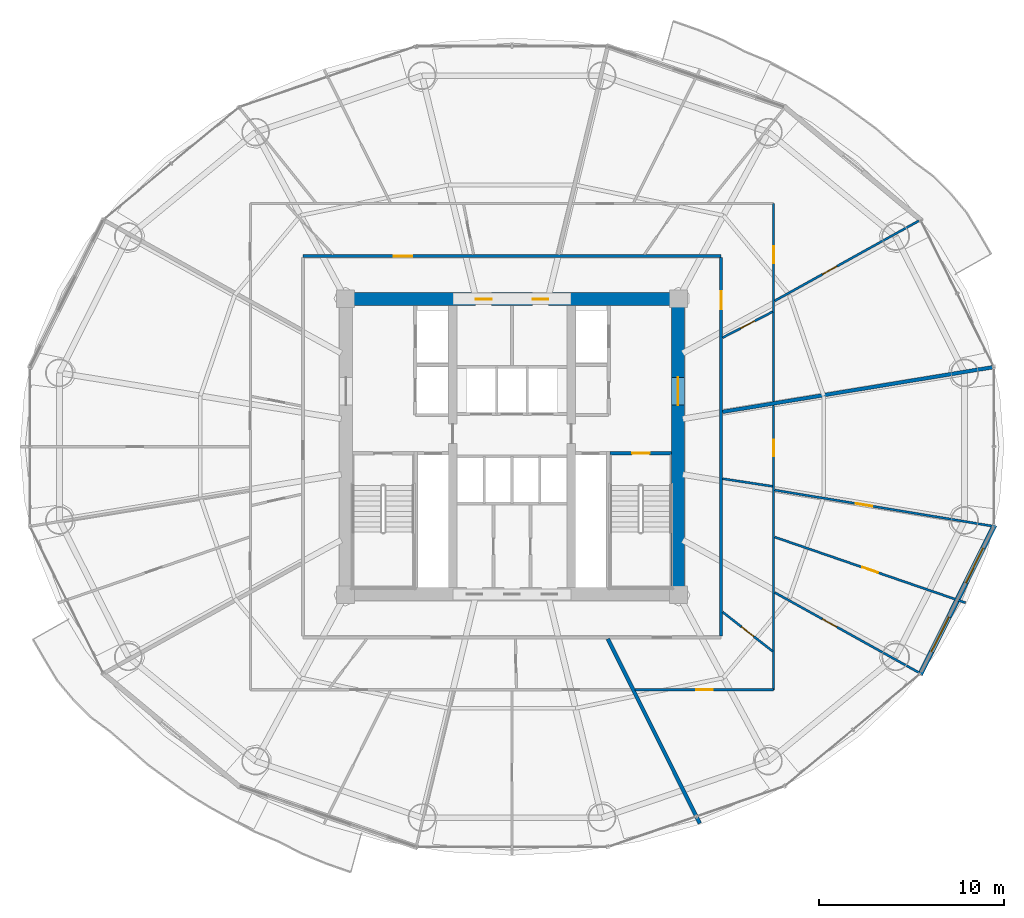
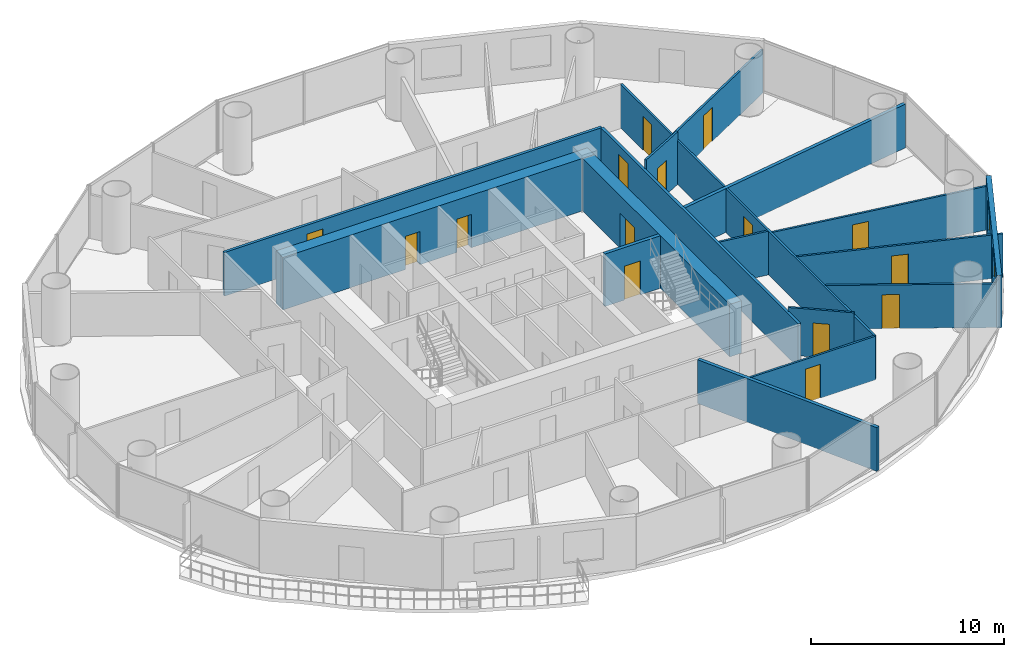
# One storey, part 23 of 28: 18 walls, 15 doors, 2 windows, 17 openings.
"""IFC4 building model written with IfcOpenShell, lengths in metres."""

from ifc_helpers import new_model, si_unit, direction, frame, frame_2d, origin, place, context, subcontext, project, spatial, rectangle, extrude, source, transform, mapped, material, layer, layer_set, type_object, element, fill, save


model = new_model("IFC4")

# Units and contexts
model_context = context("Model", 3, precision=1e-05, world=origin(), true_north=direction((-0.2419218956, 0.970295726276)))
body_context = subcontext(model_context, "Body", "Model", "MODEL_VIEW")
ifc_project = project(units=[si_unit("LENGTHUNIT", "METRE"), si_unit("AREAUNIT", "SQUARE_METRE"), si_unit("VOLUMEUNIT", "CUBIC_METRE"), si_unit("PLANEANGLEUNIT", "RADIAN"), si_unit("MASSUNIT", "GRAM", prefix="KILO")], contexts=[model_context])

# Site, building, storey
site_placement = place(None, origin())
site = spatial("IfcSite", under=ifc_project, at=site_placement, CompositionType="ELEMENT")
building_placement = place(site_placement, origin())
building = spatial("IfcBuilding", under=site, at=building_placement, Name="Cobrevalo Terracotta Tower", CompositionType="ELEMENT")
storey_placement = place(building_placement, frame((0.0, 0.0, 101.39990234375)))
storey = spatial("IfcBuildingStorey", under=building, at=storey_placement, Name="L26", CompositionType="ELEMENT", Elevation=101.39990234375)

# Wall, openings, doors
ifc_material_1 = material(Name="Concrete C60", Category="concrete")
ifc_layer_1 = layer(ifc_material_1, 0.699951171875)
ifc_layer_set_1 = layer_set([ifc_layer_1], Name="Concrete C60")
wall_type_1 = type_object("IfcWallType", Name="Core shear wall 700 mm Concrete C60", PredefinedType="SHEAR", material=ifc_layer_set_1)
wall_1_placement = place(storey_placement, frame((28.675048828125, 34.77490234375, 0.0), z_axis=(0.0, 0.0, 1.0), x_axis=(1.0, 0.0, 0.0)))
wall_1 = element("IfcWall", 1, at=wall_1_placement, inside=storey, type_object=wall_type_1, Name="L26 north core shear wall", PredefinedType="SHEAR", context=body_context, shape_type="SweptSolid", body=[
    extrude(rectangle(XDim=18.64990234375, YDim=0.699951171875, at=frame_2d((9.324951171875, 0.0))), origin(), (0.0, 0.0, 1.0), 3.3251953125),
])
opening_1_placement = place(wall_1_placement, frame((7.357421875, 0.0, 0.0)))
opening_1 = element("IfcOpeningElement", 2, at=opening_1_placement, cuts=wall_1, Name="Opening ID-07", PredefinedType="OPENING", context=body_context, shape_type="SweptSolid", body=[
    extrude(rectangle(XDim=0.860107421875, YDim=2.10009765625, at=frame_2d((0.43017578125, 1.050048828125))), frame((0.0, 0.35986328125, 0.0), z_axis=(0.0, -1.0, 0.0), x_axis=(1.0, 0.0, 0.0)), (0.0, 0.0, 1.0), 0.719970703125),
])
opening_2_placement = place(wall_1_placement, frame((10.4375, 0.0, 0.0)))
opening_2 = element("IfcOpeningElement", 3, at=opening_2_placement, cuts=wall_1, Name="Opening ID-22", PredefinedType="OPENING", context=body_context, shape_type="SweptSolid", body=[
    extrude(rectangle(XDim=0.85009765625, YDim=2.10009765625, at=frame_2d((0.425048828125, 1.050048828125))), frame((0.0, 0.35986328125, 0.0), z_axis=(0.0, -1.0, 0.0), x_axis=(1.0, 0.0, 0.0)), (0.0, 0.0, 1.0), 0.719970703125),
])
ifc_material_2 = material(Name="Powder-coated steel", Category="steel")
door_type_1 = type_object("IfcDoorType", Name="Riser shaft & meter closet fire access door 850x2100 EI 60", OperationType="NOTDEFINED", PredefinedType="DOOR", material=ifc_material_2)
shared_shape_1 = source(origin(), body_context, "Body", "SweptSolid", [
    extrude(rectangle(XDim=0.85009765625, YDim=2.10009765625, at=frame_2d((0.425048828125, 1.050048828125))), frame((0.0, 0.02490234375, 0.0), z_axis=(0.0, -1.0, 0.0), x_axis=(1.0, 0.0, 0.0)), (0.0, 0.0, 1.0), 0.050048828125),
])
door_1_placement = place(opening_2_placement, frame((0.85009765625, 0.0, 0.0), z_axis=(0.0, 0.0, 1.0), x_axis=(-1.0, 0.0, 0.0)))
door_1 = element("IfcDoor", 4, at=door_1_placement, inside=storey, type_object=door_type_1, Name="L26 core north service door Floor Telecom and Metering Plant", OperationType="SINGLE_SWING_RIGHT", OverallHeight=2.10009765625, OverallWidth=0.85009765625, PredefinedType="DOOR", context=body_context, shape_type="MappedRepresentation", body=[
    mapped(shared_shape_1, transform((0.0, 0.0, 0.0), scale=1.0)),
])
fill(opening_2, door_1)
ifc_material_3 = material(Name="Fire-rated moisture-sealed timber", Category="wood")
door_type_2 = type_object("IfcDoorType", Name="Core & podium fire-rated accessible WC door 860x2100 EI 60", OperationType="NOTDEFINED", PredefinedType="DOOR", material=ifc_material_3)
shared_shape_2 = source(origin(), body_context, "Body", "SweptSolid", [
    extrude(rectangle(XDim=0.860107421875, YDim=2.10009765625, at=frame_2d((0.43017578125, 1.050048828125))), frame((0.0, 0.02490234375, 0.0), z_axis=(0.0, -1.0, 0.0), x_axis=(1.0, 0.0, 0.0)), (0.0, 0.0, 1.0), 0.050048828125),
])
door_2_placement = place(opening_1_placement, frame((0.860107421875, 0.0, 0.0), z_axis=(0.0, 0.0, 1.0), x_axis=(-1.0, 0.0, 0.0)))
door_2 = element("IfcDoor", 5, at=door_2_placement, inside=storey, type_object=door_type_2, Name="L26 core north service door Core Accessible Toilet WC", OperationType="SINGLE_SWING_LEFT", OverallHeight=2.10009765625, OverallWidth=0.860107421875, PredefinedType="DOOR", context=body_context, shape_type="MappedRepresentation", body=[
    mapped(shared_shape_2, transform((0.0, 0.0, 0.0), scale=1.0)),
])
fill(opening_1, door_2)

# Wall, opening, door
wall_2_placement = place(storey_placement, frame((46.97509765625, 19.175048828125, 0.0), z_axis=(0.0, 0.0, 1.0), x_axis=(0.0, 1.0, 0.0)))
wall_2 = element("IfcWall", 6, at=wall_2_placement, inside=storey, type_object=wall_type_1, Name="L26 east core shear wall", PredefinedType="SHEAR", context=body_context, shape_type="SweptSolid", body=[
    extrude(rectangle(XDim=15.25, YDim=0.699951171875, at=frame_2d((7.625, 0.0))), origin(), (0.0, 0.0, 1.0), 3.3251953125),
])
opening_3_placement = place(wall_2_placement, frame((9.875, 0.0, 0.0)))
opening_3 = element("IfcOpeningElement", 7, at=opening_3_placement, cuts=wall_2, Name="Opening ID-14", PredefinedType="OPENING", context=body_context, shape_type="SweptSolid", body=[
    extrude(rectangle(XDim=1.5, YDim=2.199951171875, at=frame_2d((0.75, 1.10009765625))), frame((0.0, 0.35986328125, 0.0), z_axis=(0.0, -1.0, 0.0), x_axis=(1.0, 0.0, 0.0)), (0.0, 0.0, 1.0), 0.719970703125),
])
ifc_material_4 = material(Name="Galvanized fire-rated steel", Category="steel")
door_type_3 = type_object("IfcDoorType", Name="Core cross-lobby double fire door 1500x2200 EI 90", OperationType="NOTDEFINED", PredefinedType="DOOR", material=ifc_material_4)
shared_shape_3 = source(origin(), body_context, "Body", "SweptSolid", [
    extrude(rectangle(XDim=1.5, YDim=2.199951171875, at=frame_2d((0.75, 1.10009765625))), frame((0.0, 0.02490234375, 0.0), z_axis=(0.0, -1.0, 0.0), x_axis=(1.0, 0.0, 0.0)), (0.0, 0.0, 1.0), 0.050048828125),
])
door_3_placement = place(opening_3_placement, frame((1.5, 0.0, 0.0), z_axis=(0.0, 0.0, 1.0), x_axis=(-1.0, 0.0, 0.0)))
door_3 = element("IfcDoor", 8, at=door_3_placement, inside=storey, type_object=door_type_3, Name="L26 east firefighting lobby entrance door", OperationType="DOUBLE_DOOR_SINGLE_SWING", OverallHeight=2.199951171875, OverallWidth=1.5, PredefinedType="DOOR", context=body_context, shape_type="MappedRepresentation", body=[
    mapped(shared_shape_3, transform((0.0, 0.0, 0.0), scale=1.0)),
])
fill(opening_3, door_3)

ifc_material_5 = material(Name="Gypsum board on steel stud", Category="steel")
ifc_layer_2 = layer(ifc_material_5, 0.159912109375)
ifc_layer_set_2 = layer_set([ifc_layer_2], Name="Gypsum board on steel stud")
wall_type_2 = type_object("IfcWallType", Name="Fire-rated corridor acoustic partition wall 160 mm", PredefinedType="PARTITIONING", material=ifc_layer_set_2)
wall_3_placement = place(storey_placement, frame((26.695068359375, 37.10498046875, 0.0), z_axis=(0.0, 0.0, 1.0), x_axis=(1.0, 0.0, 0.0)))
wall_3 = element("IfcWall", 9, at=wall_3_placement, inside=storey, type_object=wall_type_2, Name="L26 interior partition IW-L26-COR-N", PredefinedType="PARTITIONING", context=body_context, shape_type="SweptSolid", body=[
    extrude(rectangle(XDim=22.60986328125, YDim=0.159912109375, at=frame_2d((11.304931640625, 0.0))), origin(), (0.0, 0.0, 1.0), 2.76708984375),
])
opening_4_placement = place(wall_3_placement, frame((4.925048828125, 0.0, 0.0)))
opening_4 = element("IfcOpeningElement", 10, at=opening_4_placement, cuts=wall_3, Name="Opening ID-05", PredefinedType="OPENING", context=body_context, shape_type="SweptSolid", body=[
    extrude(rectangle(XDim=0.97998046875, YDim=2.199951171875, at=frame_2d((0.489990234375, 1.10009765625))), frame((0.0, 0.08984375, 0.0), z_axis=(0.0, -1.0, 0.0), x_axis=(1.0, 0.0, 0.0)), (0.0, 0.0, 1.0), 0.179931640625),
])
ifc_material_6 = material(Name="Solid hardwood timber", Category="wood")
door_type_4 = type_object("IfcDoorType", Name="Residence entrance fire-rated acoustic timber door 980x2200 EI 60", OperationType="NOTDEFINED", PredefinedType="DOOR", material=ifc_material_6)
shared_shape_4 = source(origin(), body_context, "Body", "SweptSolid", [
    extrude(rectangle(XDim=0.97998046875, YDim=2.199951171875, at=frame_2d((0.489990234375, 1.10009765625))), frame((0.0, 0.02490234375, 0.0), z_axis=(0.0, -1.0, 0.0), x_axis=(1.0, 0.0, 0.0)), (0.0, 0.0, 1.0), 0.050048828125),
])
door_4_placement = place(opening_4_placement, origin())
door_4 = element("IfcDoor", 11, at=door_4_placement, inside=storey, type_object=door_type_4, Name="Flat L26B fire-rated apartment entrance door", OperationType="SINGLE_SWING_LEFT", OverallHeight=2.199951171875, OverallWidth=0.97998046875, PredefinedType="DOOR", context=body_context, shape_type="MappedRepresentation", body=[
    mapped(shared_shape_4, transform((0.0, 0.0, 0.0), scale=1.0)),
])
fill(opening_4, door_4)

wall_4_placement = place(storey_placement, frame((49.304931640625, 16.574951171875, 0.0), z_axis=(0.0, 0.0, 1.0), x_axis=(0.0, 1.0, 0.0)))
wall_4 = element("IfcWall", 12, at=wall_4_placement, inside=storey, type_object=wall_type_2, Name="L26 interior partition IW-L26-COR-E", PredefinedType="PARTITIONING", context=body_context, shape_type="SweptSolid", body=[
    extrude(rectangle(XDim=20.449951171875, YDim=0.159912109375, at=frame_2d((10.22509765625, 0.0))), origin(), (0.0, 0.0, 1.0), 2.76708984375),
])
opening_5_placement = place(wall_4_placement, frame((17.660400390625, 0.0, 0.0)))
opening_5 = element("IfcOpeningElement", 13, at=opening_5_placement, cuts=wall_4, Name="Opening ID-05", PredefinedType="OPENING", context=body_context, shape_type="SweptSolid", body=[
    extrude(rectangle(XDim=0.97998046875, YDim=2.199951171875, at=frame_2d((0.489990234375, 1.10009765625))), frame((0.0, 0.08984375, 0.0), z_axis=(0.0, -1.0, 0.0), x_axis=(1.0, 0.0, 0.0)), (0.0, 0.0, 1.0), 0.179931640625),
])
door_5_placement = place(opening_5_placement, frame((0.97998046875, 0.0, 0.0), z_axis=(0.0, 0.0, 1.0), x_axis=(-1.0, 0.0, 0.0)))
door_5 = element("IfcDoor", 14, at=door_5_placement, inside=storey, type_object=door_type_4, Name="Flat L26A fire-rated apartment entrance door", OperationType="SINGLE_SWING_RIGHT", OverallHeight=2.199951171875, OverallWidth=0.97998046875, PredefinedType="DOOR", context=body_context, shape_type="MappedRepresentation", body=[
    mapped(shared_shape_4, transform((0.0, 0.0, 0.0), scale=1.0)),
])
fill(opening_5, door_5)

# Walls
ifc_material_7 = material(Name="Autoclaved aerated concrete block", Category="concrete")
ifc_layer_3 = layer(ifc_material_7, 0.199951171875)
ifc_layer_set_3 = layer_set([ifc_layer_3], Name="Autoclaved aerated concrete block")
wall_type_3 = type_object("IfcWallType", Name="Fire-rated stair, shaft & demising masonry wall 200 mm", PredefinedType="PARTITIONING", material=ifc_layer_set_3)
wall_5_placement = place(storey_placement, frame((49.386962890625, 28.681884765625, 0.0), z_axis=(0.0, 0.0, 1.0), x_axis=(0.986617934215, 0.163049231479, 0.0)))
element("IfcWall", 15, at=wall_5_placement, inside=storey, type_object=wall_type_3, Name="L26 interior partition IW-L26-DEM-1", PredefinedType="PARTITIONING", context=body_context, shape_type="SweptSolid", body=[
    extrude(rectangle(XDim=14.78466796875, YDim=0.199951171875, at=frame_2d((7.392333984375, 0.0))), origin(), (0.0, 0.0, 1.0), 2.76708984375),
])
wall_6_placement = place(storey_placement, frame((43.177490234375, 16.4150390625, 0.0), z_axis=(0.0, 0.0, 1.0), x_axis=(0.446179591598, -0.894943446281, 0.0)))
element("IfcWall", 16, at=wall_6_placement, inside=storey, type_object=wall_type_3, Name="L26 interior partition IW-L26-DEM-5", PredefinedType="PARTITIONING", context=body_context, shape_type="SweptSolid", body=[
    extrude(rectangle(XDim=11.147705078125, YDim=0.199951171875, at=frame_2d((5.57373046875, 0.0))), origin(), (0.0, 0.0, 1.0), 2.76708984375),
])

# Wall, openings, windows
ifc_layer_4 = layer(ifc_material_7, 0.280029296875)
ifc_layer_set_4 = layer_set([ifc_layer_4], Name="Autoclaved aerated concrete block")
wall_type_4 = type_object("IfcWallType", Name="Insulated tower spandrel & pier wall 280 mm with terracotta rainscreen", PredefinedType="SOLIDWALL", material=ifc_layer_set_4)
wall_7_placement = place(storey_placement, frame((60.056396484375, 14.467041015625, 0.0), z_axis=(0.0, 0.0, 1.0), x_axis=(0.446274562077, 0.894896091869, 0.0)))
wall_7 = element("IfcWall", 17, at=wall_7_placement, inside=storey, type_object=wall_type_4, Name="L26 terracotta rainscreen pier wall S15", PredefinedType="SOLIDWALL", context=body_context, shape_type="SweptSolid", body=[
    extrude(rectangle(XDim=9.050048828125, YDim=0.280029296875, at=frame_2d((4.52490234375, 0.0))), origin(), (0.0, 0.0, 1.0), 3.3251953125),
])
opening_6_placement = place(wall_7_placement, frame((1.3935546875, 0.0, 0.85009765625)))
opening_6 = element("IfcOpeningElement", 18, at=opening_6_placement, cuts=wall_7, Name="Opening WN-10", PredefinedType="OPENING", context=body_context, shape_type="SweptSolid", body=[
    extrude(rectangle(XDim=2.10009765625, YDim=1.949951171875, at=frame_2d((1.050048828125, 0.97509765625))), frame((0.0, 0.14990234375, 0.0), z_axis=(0.0, -1.0, 0.0), x_axis=(1.0, 0.0, 0.0)), (0.0, 0.0, 1.0), 0.300048828125),
])
opening_7_placement = place(wall_7_placement, frame((5.556640625, 0.0, 0.85009765625)))
opening_7 = element("IfcOpeningElement", 19, at=opening_7_placement, cuts=wall_7, Name="Opening WN-10", PredefinedType="OPENING", context=body_context, shape_type="SweptSolid", body=[
    extrude(rectangle(XDim=2.10009765625, YDim=1.949951171875, at=frame_2d((1.050048828125, 0.97509765625))), frame((0.0, 0.14990234375, 0.0), z_axis=(0.0, -1.0, 0.0), x_axis=(1.0, 0.0, 0.0)), (0.0, 0.0, 1.0), 0.300048828125),
])
ifc_material_8 = material(Name="Solar-control low-E double glazing", Category="glass")
window_type = type_object("IfcWindowType", Name="Wide panoramic low-E aluminium window 2100x1950", PartitioningType="SINGLE_PANEL", PredefinedType="WINDOW", material=ifc_material_8)
shared_shape_5 = source(origin(), body_context, "Body", "SweptSolid", [
    extrude(rectangle(XDim=2.10009765625, YDim=1.949951171875, at=frame_2d((1.050048828125, 0.97509765625))), frame((0.0, 0.030029296875, 0.0), z_axis=(0.0, -1.0, 0.0), x_axis=(1.0, 0.0, 0.0)), (0.0, 0.0, 1.0), 0.06005859375),
])
window_1_placement = place(opening_6_placement, origin())
window_1 = element("IfcWindow", 20, at=window_1_placement, inside=storey, type_object=window_type, Name="L26 suite window S15A", OverallHeight=1.949951171875, OverallWidth=2.10009765625, PartitioningType="SINGLE_PANEL", PredefinedType="WINDOW", context=body_context, shape_type="MappedRepresentation", body=[
    mapped(shared_shape_5, transform((0.0, 0.0, 0.0), scale=1.0)),
])
fill(opening_6, window_1)
window_2_placement = place(opening_7_placement, origin())
window_2 = element("IfcWindow", 21, at=window_2_placement, inside=storey, type_object=window_type, Name="L26 suite window S15B", OverallHeight=1.949951171875, OverallWidth=2.10009765625, PartitioningType="SINGLE_PANEL", PredefinedType="WINDOW", context=body_context, shape_type="MappedRepresentation", body=[
    mapped(shared_shape_5, transform((0.0, 0.0, 0.0), scale=1.0)),
])
fill(opening_7, window_2)

# Wall, opening, door
ifc_layer_5 = layer(ifc_material_5, 0.1201171875)
ifc_layer_set_5 = layer_set([ifc_layer_5], Name="Gypsum board on steel stud")
wall_type_5 = type_object("IfcWallType", Name="Residential internal acoustic stud partition 120 mm", PredefinedType="PARTITIONING", material=ifc_layer_set_5)
wall_8_placement = place(storey_placement, frame((52.14501953125, 39.945068359375, 0.0), z_axis=(0.0, 0.0, 1.0), x_axis=(0.0, -1.0, 0.0)))
wall_8 = element("IfcWall", 22, at=wall_8_placement, inside=storey, type_object=wall_type_5, Name="L26 interior partition IW-L26-U1-RING1_0", PredefinedType="PARTITIONING", context=body_context, shape_type="SweptSolid", body=[
    extrude(rectangle(XDim=10.705322265625, YDim=0.1201171875, at=frame_2d((5.3525390625, 0.0))), origin(), (0.0, 0.0, 1.0), 2.76708984375),
])
opening_8_placement = place(wall_8_placement, frame((2.316162109375, 0.0, 0.0)))
opening_8 = element("IfcOpeningElement", 23, at=opening_8_placement, cuts=wall_8, Name="Opening ID-12", PredefinedType="OPENING", context=body_context, shape_type="SweptSolid", body=[
    extrude(rectangle(XDim=0.89990234375, YDim=2.14990234375, at=frame_2d((0.449951171875, 1.074951171875))), frame((0.0, 0.070068359375, 0.0), z_axis=(0.0, -1.0, 0.0), x_axis=(1.0, 0.0, 0.0)), (0.0, 0.0, 1.0), 0.14013671875),
])
ifc_material_9 = material(Name="Engineered timber", Category="wood")
door_type_5 = type_object("IfcDoorType", Name="Internal residence & suite timber door 900x2150", OperationType="NOTDEFINED", PredefinedType="DOOR", material=ifc_material_9)
shared_shape_6 = source(origin(), body_context, "Body", "SweptSolid", [
    extrude(rectangle(XDim=0.89990234375, YDim=2.14990234375, at=frame_2d((0.449951171875, 1.074951171875))), frame((0.0, 0.02490234375, 0.0), z_axis=(0.0, -1.0, 0.0), x_axis=(1.0, 0.0, 0.0)), (0.0, 0.0, 1.0), 0.050048828125),
])
door_6_placement = place(opening_8_placement, origin())
door_6 = element("IfcDoor", 24, at=door_6_placement, inside=storey, type_object=door_type_5, Name="Flat L26A Master Bedroom internal door", OperationType="SINGLE_SWING_RIGHT", OverallHeight=2.14990234375, OverallWidth=0.89990234375, PredefinedType="DOOR", context=body_context, shape_type="MappedRepresentation", body=[
    mapped(shared_shape_6, transform((0.0, 0.0, 0.0), scale=1.0)),
])
fill(opening_8, door_6)

wall_9_placement = place(storey_placement, frame((52.19921875, 34.6826171875, 0.0), z_axis=(0.0, 0.0, 1.0), x_axis=(0.874320827228, 0.485348422349, 0.0)))
wall_9 = element("IfcWall", 25, at=wall_9_placement, inside=storey, type_object=wall_type_5, Name="L26 interior partition IW-L26-U1-ORAD1", PredefinedType="PARTITIONING", context=body_context, shape_type="SweptSolid", body=[
    extrude(rectangle(XDim=8.939697265625, YDim=0.1201171875, at=frame_2d((4.4697265625, 0.0))), origin(), (0.0, 0.0, 1.0), 2.76708984375),
])
opening_9_placement = place(wall_9_placement, frame((2.95263671875, 0.0, 0.0)))
opening_9 = element("IfcOpeningElement", 26, at=opening_9_placement, cuts=wall_9, Name="Opening ID-12", PredefinedType="OPENING", context=body_context, shape_type="SweptSolid", body=[
    extrude(rectangle(XDim=0.89990234375, YDim=2.14990234375, at=frame_2d((0.449951171875, 1.074951171875))), frame((0.0, 0.070068359375, 0.0), z_axis=(0.0, -1.0, 0.0), x_axis=(1.0, 0.0, 0.0)), (0.0, 0.0, 1.0), 0.14013671875),
])
door_7_placement = place(opening_9_placement, frame((0.89990234375, 0.0, 0.0), z_axis=(0.0, 0.0, 1.0), x_axis=(-1.0, 0.0, 0.0)))
door_7 = element("IfcDoor", 27, at=door_7_placement, inside=storey, type_object=door_type_5, Name="Flat L26A Living and Dining Room internal door", OperationType="SINGLE_SWING_RIGHT", OverallHeight=2.14990234375, OverallWidth=0.89990234375, PredefinedType="DOOR", context=body_context, shape_type="MappedRepresentation", body=[
    mapped(shared_shape_6, transform((0.0, 0.0, 0.0), scale=1.0)),
])
fill(opening_9, door_7)

wall_10_placement = place(storey_placement, frame((49.38671875, 32.695068359375, 0.0), z_axis=(0.0, 0.0, 1.0), x_axis=(0.888050549489, 0.459745822767, 0.0)))
wall_10 = element("IfcWall", 28, at=wall_10_placement, inside=storey, type_object=wall_type_5, Name="L26 interior partition IW-L26-U1-IRAD1", PredefinedType="PARTITIONING", context=body_context, shape_type="SweptSolid", body=[
    extrude(rectangle(XDim=3.0439453125, YDim=0.1201171875, at=frame_2d((1.52197265625, 0.0))), origin(), (0.0, 0.0, 1.0), 3.3251953125),
])
opening_10_placement = place(wall_10_placement, frame((1.092041015625, 0.0, 0.0)))
opening_10 = element("IfcOpeningElement", 29, at=opening_10_placement, cuts=wall_10, Name="Opening ID-19", PredefinedType="OPENING", context=body_context, shape_type="SweptSolid", body=[
    extrude(rectangle(XDim=0.860107421875, YDim=2.14990234375, at=frame_2d((0.43017578125, 1.074951171875))), frame((0.0, 0.070068359375, 0.0), z_axis=(0.0, -1.0, 0.0), x_axis=(1.0, 0.0, 0.0)), (0.0, 0.0, 1.0), 0.14013671875),
])
ifc_material_10 = material(Name="Moisture-sealed timber", Category="wood")
door_type_6 = type_object("IfcDoorType", Name="Suite bathroom internal timber door 860x2150", OperationType="NOTDEFINED", PredefinedType="DOOR", material=ifc_material_10)
shared_shape_7 = source(origin(), body_context, "Body", "SweptSolid", [
    extrude(rectangle(XDim=0.860107421875, YDim=2.14990234375, at=frame_2d((0.43017578125, 1.074951171875))), frame((0.0, 0.02490234375, 0.0), z_axis=(0.0, -1.0, 0.0), x_axis=(1.0, 0.0, 0.0)), (0.0, 0.0, 1.0), 0.050048828125),
])
door_8_placement = place(opening_10_placement, frame((0.860107421875, 0.0, 0.0), z_axis=(0.0, 0.0, 1.0), x_axis=(-1.0, 0.0, 0.0)))
door_8 = element("IfcDoor", 30, at=door_8_placement, inside=storey, type_object=door_type_6, Name="Flat L26A Primary Bathroom internal door", OperationType="SINGLE_SWING_LEFT", OverallHeight=2.14990234375, OverallWidth=0.860107421875, PredefinedType="DOOR", context=body_context, shape_type="MappedRepresentation", body=[
    mapped(shared_shape_7, transform((0.0, 0.0, 0.0), scale=1.0)),
])
fill(opening_10, door_8)

wall_11_placement = place(storey_placement, frame((52.14501953125, 29.03564453125, 0.0), z_axis=(0.0, 0.0, 1.0), x_axis=(0.0, -1.0, 0.0)))
wall_11 = element("IfcWall", 31, at=wall_11_placement, inside=storey, type_object=wall_type_5, Name="L26 interior partition IW-L26-U5-RING0_0", PredefinedType="PARTITIONING", context=body_context, shape_type="SweptSolid", body=[
    extrude(rectangle(XDim=15.380615234375, YDim=0.1201171875, at=frame_2d((7.6904296875, 0.0))), origin(), (0.0, 0.0, 1.0), 2.76708984375),
])
opening_11_placement = place(wall_11_placement, frame((1.864013671875, 0.0, 0.0)))
opening_11 = element("IfcOpeningElement", 32, at=opening_11_placement, cuts=wall_11, Name="Opening ID-12", PredefinedType="OPENING", context=body_context, shape_type="SweptSolid", body=[
    extrude(rectangle(XDim=0.89990234375, YDim=2.14990234375, at=frame_2d((0.449951171875, 1.074951171875))), frame((0.0, 0.070068359375, 0.0), z_axis=(0.0, -1.0, 0.0), x_axis=(1.0, 0.0, 0.0)), (0.0, 0.0, 1.0), 0.14013671875),
])
door_9_placement = place(opening_11_placement, frame((0.89990234375, 0.0, 0.0), z_axis=(0.0, 0.0, 1.0), x_axis=(-1.0, 0.0, 0.0)))
door_9 = element("IfcDoor", 33, at=door_9_placement, inside=storey, type_object=door_type_5, Name="Flat L26E Kitchen internal door", OperationType="SINGLE_SWING_LEFT", OverallHeight=2.14990234375, OverallWidth=0.89990234375, PredefinedType="DOOR", context=body_context, shape_type="MappedRepresentation", body=[
    mapped(shared_shape_6, transform((0.0, 0.0, 0.0), scale=1.0)),
])
fill(opening_11, door_9)

wall_12_placement = place(storey_placement, frame((52.14501953125, 13.655029296875, 0.0), z_axis=(0.0, 0.0, 1.0), x_axis=(-1.0, 0.0, 0.0)))
wall_12 = element("IfcWall", 34, at=wall_12_placement, inside=storey, type_object=wall_type_5, Name="L26 interior partition IW-L26-U5-RING1_0", PredefinedType="PARTITIONING", context=body_context, shape_type="SweptSolid", body=[
    extrude(rectangle(XDim=7.489501953125, YDim=0.1201171875, at=frame_2d((3.74462890625, 0.0))), origin(), (0.0, 0.0, 1.0), 2.76708984375),
])
opening_12_placement = place(wall_12_placement, frame((3.294677734375, 0.0, 0.0)))
opening_12 = element("IfcOpeningElement", 35, at=opening_12_placement, cuts=wall_12, Name="Opening ID-12", PredefinedType="OPENING", context=body_context, shape_type="SweptSolid", body=[
    extrude(rectangle(XDim=0.89990234375, YDim=2.14990234375, at=frame_2d((0.449951171875, 1.074951171875))), frame((0.0, 0.070068359375, 0.0), z_axis=(0.0, -1.0, 0.0), x_axis=(1.0, 0.0, 0.0)), (0.0, 0.0, 1.0), 0.14013671875),
])
door_10_placement = place(opening_12_placement, origin())
door_10 = element("IfcDoor", 36, at=door_10_placement, inside=storey, type_object=door_type_5, Name="Flat L26E Living and Dining Room internal door", OperationType="SINGLE_SWING_LEFT", OverallHeight=2.14990234375, OverallWidth=0.89990234375, PredefinedType="DOOR", context=body_context, shape_type="MappedRepresentation", body=[
    mapped(shared_shape_6, transform((0.0, 0.0, 0.0), scale=1.0)),
])
fill(opening_12, door_10)

wall_13_placement = place(storey_placement, frame((52.19921875, 18.91748046875, 0.0), z_axis=(0.0, 0.0, 1.0), x_axis=(0.874309238244, -0.485369298495, 0.0)))
wall_13 = element("IfcWall", 37, at=wall_13_placement, inside=storey, type_object=wall_type_5, Name="L26 interior partition IW-L26-U5-ORAD1", PredefinedType="PARTITIONING", context=body_context, shape_type="SweptSolid", body=[
    extrude(rectangle(XDim=8.939697265625, YDim=0.1201171875, at=frame_2d((4.4697265625, 0.0))), origin(), (0.0, 0.0, 1.0), 2.76708984375),
])
opening_13_placement = place(wall_13_placement, frame((2.95263671875, 0.0, 0.0)))
opening_13 = element("IfcOpeningElement", 38, at=opening_13_placement, cuts=wall_13, Name="Opening ID-12", PredefinedType="OPENING", context=body_context, shape_type="SweptSolid", body=[
    extrude(rectangle(XDim=0.89990234375, YDim=2.14990234375, at=frame_2d((0.449951171875, 1.074951171875))), frame((0.0, 0.070068359375, 0.0), z_axis=(0.0, -1.0, 0.0), x_axis=(1.0, 0.0, 0.0)), (0.0, 0.0, 1.0), 0.14013671875),
])
door_11_placement = place(opening_13_placement, origin())
door_11 = element("IfcDoor", 39, at=door_11_placement, inside=storey, type_object=door_type_5, Name="Flat L26E Master Bedroom internal door", OperationType="SINGLE_SWING_RIGHT", OverallHeight=2.14990234375, OverallWidth=0.89990234375, PredefinedType="DOOR", context=body_context, shape_type="MappedRepresentation", body=[
    mapped(shared_shape_6, transform((0.0, 0.0, 0.0), scale=1.0)),
])
fill(opening_13, door_11)

wall_14_placement = place(storey_placement, frame((52.20361328125, 21.911865234375, 0.0), z_axis=(0.0, 0.0, 1.0), x_axis=(0.945574063861, -0.325406960209, 0.0)))
wall_14 = element("IfcWall", 40, at=wall_14_placement, inside=storey, type_object=wall_type_5, Name="L26 interior partition IW-L26-U5-ORAD2M1", PredefinedType="PARTITIONING", context=body_context, shape_type="SweptSolid", body=[
    extrude(rectangle(XDim=10.90576171875, YDim=0.1201171875, at=frame_2d((5.452880859375, 0.0))), origin(), (0.0, 0.0, 1.0), 2.76708984375),
])
opening_14_placement = place(wall_14_placement, frame((5.0029296875, 0.0, 0.0)))
opening_14 = element("IfcOpeningElement", 41, at=opening_14_placement, cuts=wall_14, Name="Opening ID-12", PredefinedType="OPENING", context=body_context, shape_type="SweptSolid", body=[
    extrude(rectangle(XDim=0.89990234375, YDim=2.14990234375, at=frame_2d((0.449951171875, 1.074951171875))), frame((0.0, 0.070068359375, 0.0), z_axis=(0.0, -1.0, 0.0), x_axis=(1.0, 0.0, 0.0)), (0.0, 0.0, 1.0), 0.14013671875),
])
door_12_placement = place(opening_14_placement, origin())
door_12 = element("IfcDoor", 42, at=door_12_placement, inside=storey, type_object=door_type_5, Name="Flat L26E Principal Guest Bedroom internal door", OperationType="SINGLE_SWING_LEFT", OverallHeight=2.14990234375, OverallWidth=0.89990234375, PredefinedType="DOOR", context=body_context, shape_type="MappedRepresentation", body=[
    mapped(shared_shape_6, transform((0.0, 0.0, 0.0), scale=1.0)),
])
fill(opening_14, door_12)

wall_15_placement = place(storey_placement, frame((52.2060546875, 24.4521484375, 0.0), z_axis=(0.0, 0.0, 1.0), x_axis=(0.986620350945, -0.163034607068, 0.0)))
wall_15 = element("IfcWall", 43, at=wall_15_placement, inside=storey, type_object=wall_type_5, Name="L26 interior partition IW-L26-U5-ORAD2", PredefinedType="PARTITIONING", context=body_context, shape_type="SweptSolid", body=[
    extrude(rectangle(XDim=11.927490234375, YDim=0.1201171875, at=frame_2d((5.9638671875, 0.0))), origin(), (0.0, 0.0, 1.0), 2.76708984375),
])
opening_15_placement = place(wall_15_placement, frame((4.440185546875, 0.0, 0.0)))
opening_15 = element("IfcOpeningElement", 44, at=opening_15_placement, cuts=wall_15, Name="Opening ID-12", PredefinedType="OPENING", context=body_context, shape_type="SweptSolid", body=[
    extrude(rectangle(XDim=0.89990234375, YDim=2.14990234375, at=frame_2d((0.449951171875, 1.074951171875))), frame((0.0, 0.070068359375, 0.0), z_axis=(0.0, -1.0, 0.0), x_axis=(1.0, 0.0, 0.0)), (0.0, 0.0, 1.0), 0.14013671875),
])
door_13_placement = place(opening_15_placement, origin())
door_13 = element("IfcDoor", 45, at=door_13_placement, inside=storey, type_object=door_type_5, Name="Flat L26E Penthouse Family Lounge internal door", OperationType="SINGLE_SWING_RIGHT", OverallHeight=2.14990234375, OverallWidth=0.89990234375, PredefinedType="DOOR", context=body_context, shape_type="MappedRepresentation", body=[
    mapped(shared_shape_6, transform((0.0, 0.0, 0.0), scale=1.0)),
])
fill(opening_15, door_13)

wall_16_placement = place(storey_placement, frame((49.386474609375, 17.861328125, 0.0), z_axis=(0.0, 0.0, 1.0), x_axis=(0.786615823421, -0.617442747422, 0.0)))
wall_16 = element("IfcWall", 46, at=wall_16_placement, inside=storey, type_object=wall_type_5, Name="L26 interior partition IW-L26-U5-IRAD1", PredefinedType="PARTITIONING", context=body_context, shape_type="SweptSolid", body=[
    extrude(rectangle(XDim=3.44482421875, YDim=0.1201171875, at=frame_2d((1.722412109375, 0.0))), origin(), (0.0, 0.0, 1.0), 3.004150390625),
])
opening_16_placement = place(wall_16_placement, frame((1.29248046875, 0.0, 0.0)))
opening_16 = element("IfcOpeningElement", 47, at=opening_16_placement, cuts=wall_16, Name="Opening ID-19", PredefinedType="OPENING", context=body_context, shape_type="SweptSolid", body=[
    extrude(rectangle(XDim=0.860107421875, YDim=2.14990234375, at=frame_2d((0.43017578125, 1.074951171875))), frame((0.0, 0.070068359375, 0.0), z_axis=(0.0, -1.0, 0.0), x_axis=(1.0, 0.0, 0.0)), (0.0, 0.0, 1.0), 0.14013671875),
])
door_14_placement = place(opening_16_placement, origin())
door_14 = element("IfcDoor", 48, at=door_14_placement, inside=storey, type_object=door_type_6, Name="Flat L26E Primary Bathroom internal door", OperationType="SINGLE_SWING_RIGHT", OverallHeight=2.14990234375, OverallWidth=0.860107421875, PredefinedType="DOOR", context=body_context, shape_type="MappedRepresentation", body=[
    mapped(shared_shape_7, transform((0.0, 0.0, 0.0), scale=1.0)),
])
fill(opening_16, door_14)

# Wall
wall_17_placement = place(storey_placement, frame((49.386962890625, 25.0673828125, 0.0), z_axis=(0.0, 0.0, 1.0), x_axis=(0.988617679804, -0.150449603454, 0.0)))
element("IfcWall", 49, at=wall_17_placement, inside=storey, type_object=wall_type_5, Name="L26 interior partition IW-L26-U5-IRAD2", PredefinedType="PARTITIONING", context=body_context, shape_type="SweptSolid", body=[
    extrude(rectangle(XDim=2.727783203125, YDim=0.1201171875, at=frame_2d((1.36376953125, 0.0))), origin(), (0.0, 0.0, 1.0), 2.76708984375),
])

# Wall, opening, door
ifc_material_11 = material(Name="Concrete C50", Category="concrete")
ifc_layer_6 = layer(ifc_material_11, 0.199951171875)
ifc_layer_set_6 = layer_set([ifc_layer_6], Name="Concrete C50")
wall_type_6 = type_object("IfcWallType", Name="Structural core & podium stair-shaft RC wall 200 mm Concrete C50", PredefinedType="SOLIDWALL", material=ifc_layer_set_6)
wall_18_placement = place(storey_placement, frame((43.304931640625, 26.449951171875, 0.0), z_axis=(0.0, 0.0, 1.0), x_axis=(1.0, 0.0, 0.0)))
wall_18 = element("IfcWall", 50, at=wall_18_placement, inside=storey, type_object=wall_type_6, Name="L26 ST-2 north structural shaft wall", PredefinedType="SOLIDWALL", context=body_context, shape_type="SweptSolid", body=[
    extrude(rectangle(XDim=3.320068359375, YDim=0.199951171875, at=frame_2d((1.66015625, 0.0))), origin(), (0.0, 0.0, 1.0), 3.3251953125),
])
opening_17_placement = place(wall_18_placement, frame((1.18505859375, 0.0, 0.0)))
opening_17 = element("IfcOpeningElement", 51, at=opening_17_placement, cuts=wall_18, Name="Opening ID-04", PredefinedType="OPENING", context=body_context, shape_type="SweptSolid", body=[
    extrude(rectangle(XDim=0.949951171875, YDim=2.14990234375, at=frame_2d((0.47509765625, 1.074951171875))), frame((0.0, 0.10986328125, 0.0), z_axis=(0.0, -1.0, 0.0), x_axis=(1.0, 0.0, 0.0)), (0.0, 0.0, 1.0), 0.219970703125),
])
door_type_7 = type_object("IfcDoorType", Name="Stair & firefighting lobby fire door 950x2150 EI 90", OperationType="NOTDEFINED", PredefinedType="DOOR", material=ifc_material_4)
shared_shape_8 = source(origin(), body_context, "Body", "SweptSolid", [
    extrude(rectangle(XDim=0.949951171875, YDim=2.14990234375, at=frame_2d((0.47509765625, 1.074951171875))), frame((0.0, 0.02490234375, 0.0), z_axis=(0.0, -1.0, 0.0), x_axis=(1.0, 0.0, 0.0)), (0.0, 0.0, 1.0), 0.050048828125),
])
door_15_placement = place(opening_17_placement, frame((0.949951171875, 0.0, 0.0), z_axis=(0.0, 0.0, 1.0), x_axis=(-1.0, 0.0, 0.0)))
door_15 = element("IfcDoor", 52, at=door_15_placement, inside=storey, type_object=door_type_7, Name="L26 protected stair ST2 fire door", OperationType="SINGLE_SWING_RIGHT", OverallHeight=2.14990234375, OverallWidth=0.949951171875, PredefinedType="DOOR", context=body_context, shape_type="MappedRepresentation", body=[
    mapped(shared_shape_8, transform((0.0, 0.0, 0.0), scale=1.0)),
])
fill(opening_17, door_15)

save(model, "model.ifc")
